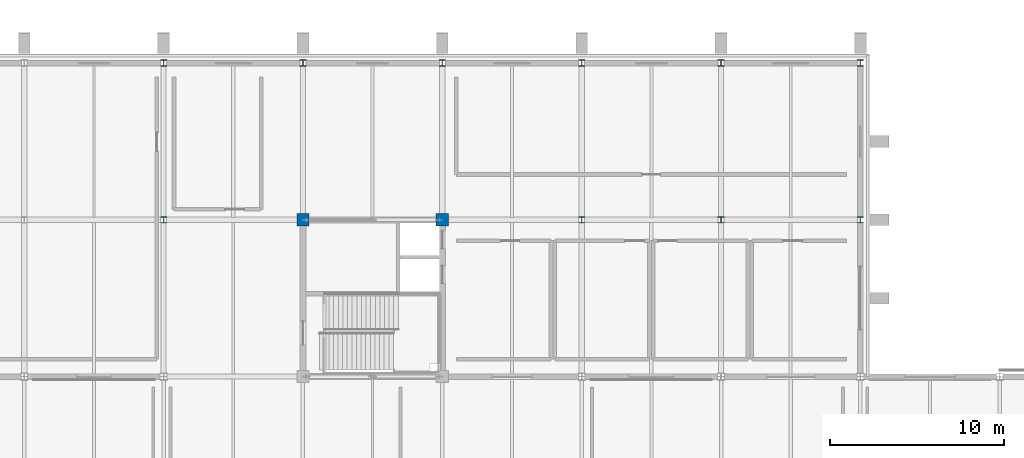
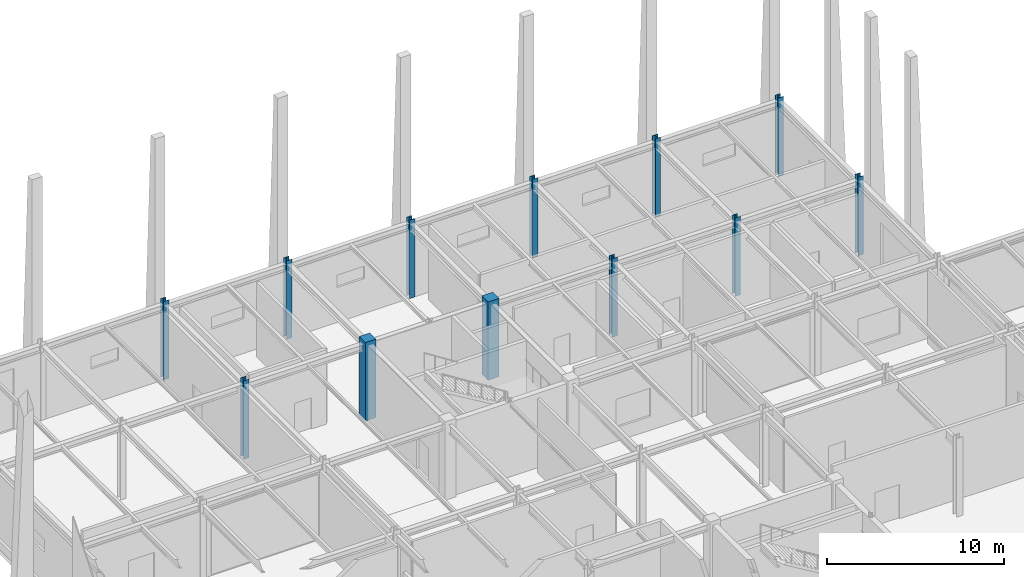
# One storey, part 16 of 119: 12 columns.
"""IFC4 building model written with IfcOpenShell, lengths in metres."""

from ifc_helpers import new_model, si_unit, direction, frame, origin, origin_2d, place, context, subcontext, project, spatial, rectangle, i_section, extrude, material, material_profile, profile_set, type_object, element, save


model = new_model("IFC4")

# Units and contexts
model_context = context("Model", 3, precision=1e-05, world=origin(), true_north=direction((0.0, 1.0)))
body_context = subcontext(model_context, "Body", "Model", "MODEL_VIEW")
ifc_project = project(units=[si_unit("LENGTHUNIT", "METRE"), si_unit("AREAUNIT", "SQUARE_METRE"), si_unit("VOLUMEUNIT", "CUBIC_METRE"), si_unit("PLANEANGLEUNIT", "RADIAN"), si_unit("MASSUNIT", "GRAM", prefix="KILO")], contexts=[model_context])

# Site, building, storey
site_placement = place(None, origin())
site = spatial("IfcSite", under=ifc_project, at=site_placement, CompositionType="ELEMENT")
building_placement = place(site_placement, origin())
building = spatial("IfcBuilding", under=site, at=building_placement, Name="Zhaolan Boulevard Law Courts", CompositionType="ELEMENT")
storey_placement = place(building_placement, origin())
storey = spatial("IfcBuildingStorey", under=building, at=storey_placement, Name="L00", CompositionType="ELEMENT", Elevation=0.0)

# Columns
ifc_material_1 = material(Name="Structural steel Q355B", Category="steel")
ifc_material_profile_1 = material_profile(ifc_material_1, i_section(OverallWidth=0.35009765625, OverallDepth=0.35009765625, WebThickness=0.011962890625, FlangeThickness=0.01904296875, FilletRadius=0.02001953125, at=origin_2d()), Name="HW350x350")
ifc_profile_set_1 = profile_set([ifc_material_profile_1], Name="Structural steel Q355B")
column_type_1 = type_object("IfcColumnType", Name="COL HW350", PredefinedType="COLUMN", material=ifc_profile_set_1)
for number, where, z_axis, x_axis, name in (
    (1, (68.0, 103.0, 0.0), (0.0, 0.0, 1.0), (1.0, 0.0, 0.0), "Column C-9P (L00)"),
    (2, (68.0, 112.0, 0.0), (0.0, 0.0, 1.0), (1.0, 0.0, 0.0), "Column C-9Q (L00)"),
    (3, (76.0, 112.0, 0.0), (0.0, 0.0, 1.0), (1.0, 0.0, 0.0), "Column C-10Q (L00)"),
    (4, (84.0, 112.0, 0.0), (0.0, 0.0, 1.0), (1.0, 0.0, 0.0), "Column C-11Q (L00)"),
    (5, (92.0, 103.0, 0.0), (0.0, 0.0, 1.0), (1.0, 0.0, 0.0), "Column C-12P (L00)"),
    (6, (92.0, 112.0, 0.0), (0.0, 0.0, 1.0), (1.0, 0.0, 0.0), "Column C-12Q (L00)"),
    (7, (100.0, 103.0, 0.0), (0.0, 0.0, 1.0), (1.0, 0.0, 0.0), "Column C-13P (L00)"),
    (8, (100.0, 112.0, 0.0), (0.0, 0.0, 1.0), (1.0, 0.0, 0.0), "Column C-13Q (L00)"),
    (9, (108.0, 103.0, 0.0), (0.0, 0.0, 1.0), (1.0, 0.0, 0.0), "Column C-14P (L00)"),
    (10, (108.0, 112.0, 0.0), (0.0, 0.0, 1.0), (1.0, 0.0, 0.0), "Column C-14Q (L00)"),
):
    element("IfcColumn", number, at=place(storey_placement, frame(where, z_axis=z_axis, x_axis=x_axis)), inside=storey, type_object=column_type_1, Name=name, PredefinedType="COLUMN", context=body_context, shape_type="SweptSolid", body=[
        extrude(i_section(OverallWidth=0.35009765625, OverallDepth=0.35009765625, WebThickness=0.011962890625, FlangeThickness=0.01904296875, FilletRadius=0.02001953125, at=origin_2d()), origin(), (0.0, 0.0, 1.0), 5.39990234375),
    ])
ifc_material_2 = material(Name="Concrete C50", Category="concrete")
ifc_material_profile_2 = material_profile(ifc_material_2, rectangle(XDim=0.699951171875, YDim=0.699951171875, at=origin_2d()), Name="RC700x700")
ifc_profile_set_2 = profile_set([ifc_material_profile_2], Name="Concrete C50")
column_type_2 = type_object("IfcColumnType", Name="COL RC700", PredefinedType="COLUMN", material=ifc_profile_set_2)
for number, where, z_axis, x_axis, name in (
    (11, (76.0, 103.0, 0.0), (0.0, 0.0, 1.0), (1.0, 0.0, 0.0), "Column C-10P (L00)"),
    (12, (84.0, 103.0, 0.0), (0.0, 0.0, 1.0), (1.0, 0.0, 0.0), "Column C-11P (L00)"),
):
    element("IfcColumn", number, at=place(storey_placement, frame(where, z_axis=z_axis, x_axis=x_axis)), inside=storey, type_object=column_type_2, Name=name, PredefinedType="COLUMN", context=body_context, shape_type="SweptSolid", body=[
        extrude(rectangle(XDim=0.699951171875, YDim=0.699951171875, at=origin_2d()), origin(), (0.0, 0.0, 1.0), 5.39990234375),
    ])

save(model, "model.ifc")
